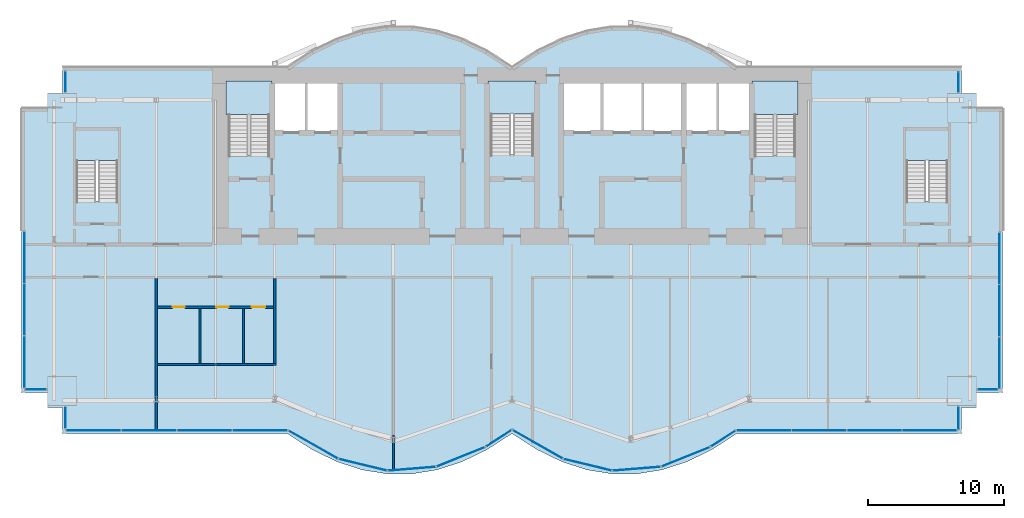
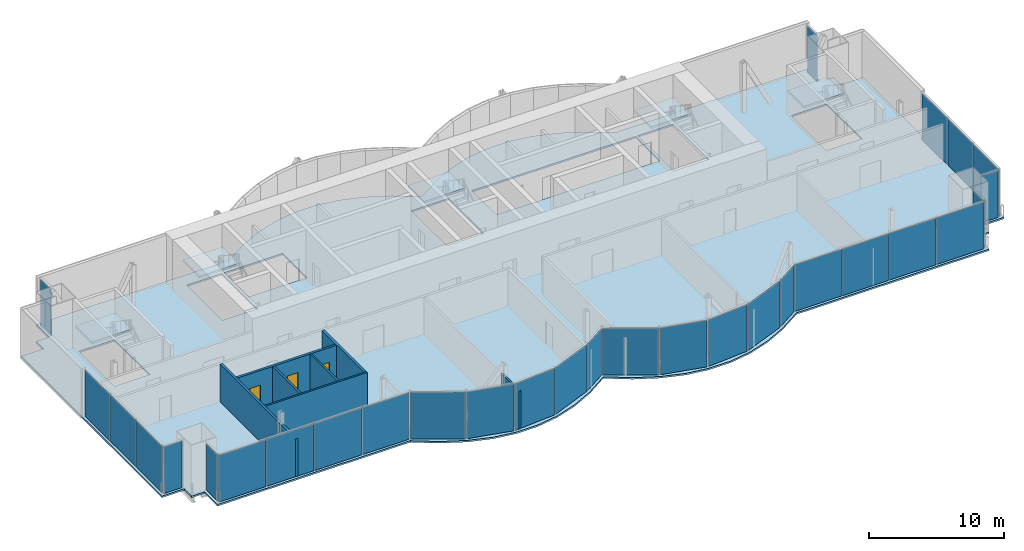
# One storey, part 11 of 18: 30 plates, 7 walls, 6 slabs, 3 doors, 3 openings, 17 elements without a shape of their own.
"""IFC4 building model written with IfcOpenShell, lengths in metres."""

from ifc_helpers import new_model, si_unit, direction, frame, frame_2d, origin, origin_2d, place, context, subcontext, project, spatial, polyline, rectangle, outline, extrude, material, layer, layer_set, type_object, element, fill, aggregate, save


model = new_model("IFC4")

# Units and contexts
model_context = context("Model", 3, precision=1e-05, world=origin(), true_north=direction((0.0, 1.0)))
body_context = subcontext(model_context, "Body", "Model", "MODEL_VIEW")
ifc_project = project(units=[si_unit("LENGTHUNIT", "METRE"), si_unit("AREAUNIT", "SQUARE_METRE"), si_unit("VOLUMEUNIT", "CUBIC_METRE"), si_unit("PLANEANGLEUNIT", "RADIAN"), si_unit("MASSUNIT", "GRAM", prefix="KILO")], contexts=[model_context])

# Site, building, storey
site_placement = place(None, origin())
site = spatial("IfcSite", under=ifc_project, at=site_placement, CompositionType="ELEMENT")
building_placement = place(site_placement, origin())
building = spatial("IfcBuilding", under=site, at=building_placement, Name="Bicima Exchange Tower", CompositionType="ELEMENT")
storey_placement = place(building_placement, frame((0.0, 0.0, 302.0)))
storey = spatial("IfcBuildingStorey", under=building, at=storey_placement, Name="L68", CompositionType="ELEMENT", Elevation=302.0)

# Slab
ifc_material_1 = material(Name="Concrete C40/50", Category="concrete")
ifc_layer_1 = layer(ifc_material_1, 0.14990234375)
ifc_layer_set_1 = layer_set([ifc_layer_1], Name="Concrete C40/50")
slab_type_1 = type_object("IfcSlabType", Name="Composite floor slab 150", PredefinedType="FLOOR", material=ifc_layer_set_1)
slab_1_placement = place(storey_placement, frame((0.0, 0.0, -0.14990234375)))
element("IfcSlab", 1, at=slab_1_placement, inside=storey, type_object=slab_type_1, Name="Floor slab", PredefinedType="FLOOR", context=body_context, shape_type="SweptSolid", body=[
    extrude(outline(polyline([(-36.0, -23.8720703125), (-36.0, -3.0), (-34.10009765625, -3.0), (-34.10009765625, -1.89990234375), (-33.0, -1.89990234375), (-33.0, 0.0), (-16.5, 0.0), (-14.666748046875, 1.185302734375), (-12.833251953125, 2.07421875), (-11.0, 2.666748046875), (-9.166748046875, 2.962890625), (-7.333251953125, 2.962890625), (-5.5, 2.666748046875), (-3.666748046875, 2.07421875), (-1.833251953125, 1.185302734375), (0.0, 0.0), (1.833251953125, 1.185302734375), (3.666748046875, 2.07421875), (5.5, 2.666748046875), (7.333251953125, 2.962890625), (9.166748046875, 2.962890625), (11.0, 2.666748046875), (12.833251953125, 2.07421875), (14.666748046875, 1.185302734375), (16.5, 0.0), (33.0, 0.0), (33.0, -1.89990234375), (34.10009765625, -1.89990234375), (34.10009765625, -3.0), (36.0, -3.0), (36.0, -23.8720703125), (34.10009765625, -23.8720703125), (34.10009765625, -24.971923828125), (33.0, -24.971923828125), (33.0, -26.8720703125), (16.5, -26.8720703125), (14.666748046875, -28.05712890625), (12.833251953125, -28.946044921875), (11.0, -29.538818359375), (9.166748046875, -29.8349609375), (7.333251953125, -29.8349609375), (5.5, -29.538818359375), (3.666748046875, -28.946044921875), (1.833251953125, -28.05712890625), (0.0, -26.8720703125), (-1.833251953125, -28.05712890625), (-3.666748046875, -28.946044921875), (-5.5, -29.538818359375), (-7.333251953125, -29.8349609375), (-9.166748046875, -29.8349609375), (-11.0, -29.538818359375), (-12.833251953125, -28.946044921875), (-14.666748046875, -28.05712890625), (-16.5, -26.8720703125), (-33.0, -26.8720703125), (-33.0, -24.971923828125), (-34.10009765625, -24.971923828125), (-34.10009765625, -23.8720703125), (-36.0, -23.8720703125)]), holes=[polyline([(-28.925048828125, -9.824951171875), (-28.925048828125, -4.625), (-31.97509765625, -4.625), (-31.97509765625, -9.824951171875), (-28.925048828125, -9.824951171875)]), polyline([(-20.800048828125, -6.449951171875), (-17.800048828125, -6.449951171875), (-17.800048828125, -1.199951171875), (-20.800048828125, -1.199951171875), (-20.800048828125, -6.449951171875)]), polyline([(-1.574951171875, -6.39990234375), (1.574951171875, -6.39990234375), (1.574951171875, -1.199951171875), (-1.574951171875, -1.199951171875), (-1.574951171875, -6.39990234375)]), polyline([(-12.60009765625, -1.199951171875), (-15.10009765625, -1.199951171875), (-17.60009765625, -1.199951171875), (-17.60009765625, -4.800048828125), (-15.10009765625, -4.800048828125), (-12.60009765625, -4.800048828125), (-12.60009765625, -1.199951171875)]), polyline([(3.60009765625, -4.800048828125), (6.60009765625, -4.800048828125), (9.60009765625, -4.800048828125), (12.60009765625, -4.800048828125), (15.10009765625, -4.800048828125), (17.60009765625, -4.800048828125), (17.60009765625, -1.199951171875), (15.10009765625, -1.199951171875), (12.60009765625, -1.199951171875), (9.60009765625, -1.199951171875), (6.60009765625, -1.199951171875), (3.60009765625, -1.199951171875), (3.60009765625, -4.800048828125)]), polyline([(31.97509765625, -9.824951171875), (31.97509765625, -4.625), (28.925048828125, -4.625), (28.925048828125, -9.824951171875), (31.97509765625, -9.824951171875)]), polyline([(17.800048828125, -6.449951171875), (20.800048828125, -6.449951171875), (20.800048828125, -1.199951171875), (17.800048828125, -1.199951171875), (17.800048828125, -6.449951171875)])]), origin(), (0.0, 0.0, 1.0), 0.14990234375),
])

# Curtain wall, plate
ifc_material_2 = material(Name="Anodised bronze aluminium", Category="aluminium")
curtain_wall_type_1 = type_object("IfcCurtainWallType", Name="End face glass wall", PredefinedType="NOTDEFINED", material=ifc_material_2)
curtain_wall_1_placement = place(storey_placement, origin())
curtain_wall_1 = element("IfcCurtainWall", 2, at=curtain_wall_1_placement, inside=storey, type_object=curtain_wall_type_1, Name="End face glass wall L68 run 2", PredefinedType="NOTDEFINED")
ifc_material_3 = material(Name="Bronze tinted glass", Category="glass")
ifc_layer_2 = layer(ifc_material_3, 0.031982421875)
ifc_layer_set_2 = layer_set([ifc_layer_2], Name="Bronze tinted glass")
plate_type_1 = type_object("IfcPlateType", Name="End face glass wall glass panel 32", PredefinedType="CURTAIN_PANEL", material=ifc_layer_set_2)
plate_1_placement = place(storey_placement, frame((-35.77001953125, -13.947021484375, 0.0), z_axis=(0.0, 0.0, 1.0), x_axis=(0.0, -1.0, 0.0)))
plate_1 = element("IfcPlate", 3, at=plate_1_placement, type_object=plate_type_1, Name="End face glass wall panel 1.1", PredefinedType="CURTAIN_PANEL", context=body_context, shape_type="SweptSolid", body=[
    extrude(rectangle(XDim=3.77392578125, YDim=0.031982421875, at=origin_2d()), origin(), (0.0, 0.0, 1.0), 4.2099609375),
])

curtain_wall_2_placement = place(storey_placement, origin())
curtain_wall_2 = element("IfcCurtainWall", 4, at=curtain_wall_2_placement, inside=storey, type_object=curtain_wall_type_1, Name="End face glass wall L68 run 19", PredefinedType="NOTDEFINED")
plate_2_placement = place(storey_placement, frame((35.77001953125, -14.027099609375, 0.0), z_axis=(0.0, 0.0, 1.0), x_axis=(0.0, 1.0, 0.0)))
plate_2 = element("IfcPlate", 5, at=plate_2_placement, type_object=plate_type_1, Name="End face glass wall panel 3.1", PredefinedType="CURTAIN_PANEL", context=body_context, shape_type="SweptSolid", body=[
    extrude(rectangle(XDim=3.77392578125, YDim=0.031982421875, at=origin_2d()), origin(), (0.0, 0.0, 1.0), 4.2099609375),
])

# Plate
ifc_material_4 = material(Name="Bronze anodised aluminium", Category="aluminium")
ifc_layer_3 = layer(ifc_material_4, 0.031982421875)
ifc_layer_set_3 = layer_set([ifc_layer_3], Name="Bronze anodised aluminium")
plate_type_2 = type_object("IfcPlateType", Name="End face glass wall spandrel panel 32", PredefinedType="CURTAIN_PANEL", material=ifc_layer_set_3)
plate_3_placement = place(storey_placement, frame((-35.77001953125, -17.781005859375, 0.0), z_axis=(0.0, 0.0, 1.0), x_axis=(0.0, -1.0, 0.0)))
plate_3 = element("IfcPlate", 6, at=plate_3_placement, type_object=plate_type_2, Name="End face spandrel wall panel 2.1", PredefinedType="CURTAIN_PANEL", context=body_context, shape_type="SweptSolid", body=[
    extrude(rectangle(XDim=3.77392578125, YDim=0.031982421875, at=origin_2d()), origin(), (0.0, 0.0, 1.0), 4.2099609375),
])

plate_4_placement = place(storey_placement, frame((-35.77001953125, -21.614990234375, 0.0), z_axis=(0.0, 0.0, 1.0), x_axis=(0.0, -1.0, 0.0)))
plate_4 = element("IfcPlate", 7, at=plate_4_placement, type_object=plate_type_2, Name="End face spandrel wall panel 3.1", PredefinedType="CURTAIN_PANEL", context=body_context, shape_type="SweptSolid", body=[
    extrude(rectangle(XDim=3.77392578125, YDim=0.031982421875, at=origin_2d()), origin(), (0.0, 0.0, 1.0), 4.2099609375),
])

aggregate(curtain_wall_1, [plate_1, plate_3, plate_4])

plate_5_placement = place(storey_placement, frame((35.77001953125, -21.695068359375, 0.0), z_axis=(0.0, 0.0, 1.0), x_axis=(0.0, 1.0, 0.0)))
plate_5 = element("IfcPlate", 8, at=plate_5_placement, type_object=plate_type_2, Name="End face spandrel wall panel 1.1", PredefinedType="CURTAIN_PANEL", context=body_context, shape_type="SweptSolid", body=[
    extrude(rectangle(XDim=3.77392578125, YDim=0.031982421875, at=origin_2d()), origin(), (0.0, 0.0, 1.0), 4.2099609375),
])

plate_6_placement = place(storey_placement, frame((35.77001953125, -17.861083984375, 0.0), z_axis=(0.0, 0.0, 1.0), x_axis=(0.0, 1.0, 0.0)))
plate_6 = element("IfcPlate", 9, at=plate_6_placement, type_object=plate_type_2, Name="End face spandrel wall panel 2.1", PredefinedType="CURTAIN_PANEL", context=body_context, shape_type="SweptSolid", body=[
    extrude(rectangle(XDim=3.77392578125, YDim=0.031982421875, at=origin_2d()), origin(), (0.0, 0.0, 1.0), 4.2099609375),
])

aggregate(curtain_wall_2, [plate_5, plate_6, plate_2])

# Curtain wall, plate
curtain_wall_type_2 = type_object("IfcCurtainWallType", Name="Front glass wall", PredefinedType="NOTDEFINED", material=ifc_material_2)
curtain_wall_3_placement = place(storey_placement, origin())
curtain_wall_3 = element("IfcCurtainWall", 10, at=curtain_wall_3_placement, inside=storey, type_object=curtain_wall_type_2, Name="Front glass wall L68 run 1", PredefinedType="NOTDEFINED")
ifc_layer_4 = layer(ifc_material_3, 0.031982421875)
ifc_layer_set_4 = layer_set([ifc_layer_4], Name="Bronze tinted glass")
plate_type_3 = type_object("IfcPlateType", Name="Front glass wall glass panel 32", PredefinedType="CURTAIN_PANEL", material=ifc_layer_set_4)
plate_7_placement = place(storey_placement, frame((-32.77001953125, -1.06494140625, 0.0), z_axis=(0.0, 0.0, 1.0), x_axis=(0.0, -1.0, 0.0)))
plate_7 = element("IfcPlate", 11, at=plate_7_placement, type_object=plate_type_3, Name="Front glass wall panel 1.1", PredefinedType="CURTAIN_PANEL", context=body_context, shape_type="SweptSolid", body=[
    extrude(rectangle(XDim=1.550048828125, YDim=0.031982421875, at=origin_2d()), origin(), (0.0, 0.0, 1.0), 4.2099609375),
])
aggregate(curtain_wall_3, [plate_7])

curtain_wall_4_placement = place(storey_placement, origin())
curtain_wall_4 = element("IfcCurtainWall", 12, at=curtain_wall_4_placement, inside=storey, type_object=curtain_wall_type_2, Name="Front glass wall L68 run 3", PredefinedType="NOTDEFINED")
plate_8_placement = place(storey_placement, frame((-34.93505859375, -23.64208984375, 0.0), z_axis=(0.0, 0.0, 1.0), x_axis=(1.0, 0.0, 0.0)))
plate_8 = element("IfcPlate", 13, at=plate_8_placement, type_object=plate_type_3, Name="Front glass wall panel 1.1", PredefinedType="CURTAIN_PANEL", context=body_context, shape_type="SweptSolid", body=[
    extrude(rectangle(XDim=1.550048828125, YDim=0.031982421875, at=origin_2d()), origin(), (0.0, 0.0, 1.0), 4.2099609375),
])
aggregate(curtain_wall_4, [plate_8])

curtain_wall_5_placement = place(storey_placement, origin())
curtain_wall_5 = element("IfcCurtainWall", 14, at=curtain_wall_5_placement, inside=storey, type_object=curtain_wall_type_2, Name="Front glass wall L68 run 4", PredefinedType="NOTDEFINED")
plate_9_placement = place(storey_placement, frame((-32.77001953125, -25.7060546875, 0.0), z_axis=(0.0, 0.0, 1.0), x_axis=(0.0, -1.0, 0.0)))
plate_9 = element("IfcPlate", 15, at=plate_9_placement, type_object=plate_type_3, Name="Front glass wall panel 1.1", PredefinedType="CURTAIN_PANEL", context=body_context, shape_type="SweptSolid", body=[
    extrude(rectangle(XDim=1.592041015625, YDim=0.031982421875, at=origin_2d()), origin(), (0.0, 0.0, 1.0), 4.2099609375),
])
aggregate(curtain_wall_5, [plate_9])

# Curtain wall, plates
curtain_wall_6_placement = place(storey_placement, origin())
curtain_wall_6 = element("IfcCurtainWall", 16, at=curtain_wall_6_placement, inside=storey, type_object=curtain_wall_type_2, Name="Front glass wall L68 run 5", PredefinedType="NOTDEFINED")
plate_10_placement = place(storey_placement, frame((-30.705322265625, -26.64208984375, 0.0), z_axis=(0.0, 0.0, 1.0), x_axis=(1.0, 0.0, 0.0)))
plate_10 = element("IfcPlate", 17, at=plate_10_placement, type_object=plate_type_3, Name="Front glass wall panel 1.1", PredefinedType="CURTAIN_PANEL", context=body_context, shape_type="SweptSolid", body=[
    extrude(rectangle(XDim=4.009521484375, YDim=0.031982421875, at=origin_2d()), origin(), (0.0, 0.0, 1.0), 4.2099609375),
])
plate_11_placement = place(storey_placement, frame((-22.56640625, -26.64208984375, 0.0), z_axis=(0.0, 0.0, 1.0), x_axis=(1.0, 0.0, 0.0)))
plate_11 = element("IfcPlate", 18, at=plate_11_placement, type_object=plate_type_3, Name="Front glass wall panel 3.1", PredefinedType="CURTAIN_PANEL", context=body_context, shape_type="SweptSolid", body=[
    extrude(rectangle(XDim=4.009521484375, YDim=0.031982421875, at=origin_2d()), origin(), (0.0, 0.0, 1.0), 4.2099609375),
])
plate_12_placement = place(storey_placement, frame((-18.496826171875, -26.64208984375, 0.0), z_axis=(0.0, 0.0, 1.0), x_axis=(1.0, 0.0, 0.0)))
plate_12 = element("IfcPlate", 19, at=plate_12_placement, type_object=plate_type_3, Name="Front glass wall panel 4.1", PredefinedType="CURTAIN_PANEL", context=body_context, shape_type="SweptSolid", body=[
    extrude(rectangle(XDim=4.009521484375, YDim=0.031982421875, at=origin_2d()), origin(), (0.0, 0.0, 1.0), 4.2099609375),
])

curtain_wall_7_placement = place(storey_placement, origin())
curtain_wall_7 = element("IfcCurtainWall", 20, at=curtain_wall_7_placement, inside=storey, type_object=curtain_wall_type_2, Name="Front glass wall L68 run 6", PredefinedType="NOTDEFINED")
plate_13_placement = place(storey_placement, frame((-14.589599609375, -27.68701171875, 0.0), z_axis=(0.0, 0.0, 1.0), x_axis=(0.869805110681, -0.493395449343, 0.0)))
plate_13 = element("IfcPlate", 21, at=plate_13_placement, type_object=plate_type_3, Name="Front glass wall panel 1.1", PredefinedType="CURTAIN_PANEL", context=body_context, shape_type="SweptSolid", body=[
    extrude(rectangle(XDim=4.1162109375, YDim=0.031982421875, at=origin_2d()), origin(), (0.0, 0.0, 1.0), 4.2099609375),
])
plate_14_placement = place(storey_placement, frame((-10.94775390625, -29.168701171875, 0.0), z_axis=(0.0, 0.0, 1.0), x_axis=(0.971830343553, -0.235681529503, 0.0)))
plate_14 = element("IfcPlate", 22, at=plate_14_placement, type_object=plate_type_3, Name="Front glass wall panel 1.1", PredefinedType="CURTAIN_PANEL", context=body_context, shape_type="SweptSolid", body=[
    extrude(rectangle(XDim=3.583251953125, YDim=0.031982421875, at=origin_2d()), origin(), (0.0, 0.0, 1.0), 4.2099609375),
])
plate_15_placement = place(storey_placement, frame((-3.750244140625, -28.58544921875, 0.0), z_axis=(0.0, 0.0, 1.0), x_axis=(0.92714396679, 0.374705304, 0.0)))
plate_15 = element("IfcPlate", 23, at=plate_15_placement, type_object=plate_type_3, Name="Front glass wall panel 1.1", PredefinedType="CURTAIN_PANEL", context=body_context, shape_type="SweptSolid", body=[
    extrude(rectangle(XDim=3.771240234375, YDim=0.031982421875, at=origin_2d()), origin(), (0.0, 0.0, 1.0), 4.2099609375),
])
plate_16_placement = place(storey_placement, frame((-0.97314453125, -27.227294921875, 0.0), z_axis=(0.0, 0.0, 1.0), x_axis=(0.839798994301, 0.542897457326, 0.0)))
plate_16 = element("IfcPlate", 24, at=plate_16_placement, type_object=plate_type_3, Name="Front glass wall panel 1.1", PredefinedType="CURTAIN_PANEL", context=body_context, shape_type="SweptSolid", body=[
    extrude(rectangle(XDim=2.197509765625, YDim=0.031982421875, at=origin_2d()), origin(), (0.0, 0.0, 1.0), 4.2099609375),
])

curtain_wall_8_placement = place(storey_placement, origin())
curtain_wall_8 = element("IfcCurtainWall", 25, at=curtain_wall_8_placement, inside=storey, type_object=curtain_wall_type_2, Name="Front glass wall L68 run 11", PredefinedType="NOTDEFINED")
plate_17_placement = place(storey_placement, frame((1.876220703125, -27.665283203125, 0.0), z_axis=(0.0, 0.0, 1.0), x_axis=(0.869274147378, -0.494330311331, 0.0)))
plate_17 = element("IfcPlate", 26, at=plate_17_placement, type_object=plate_type_3, Name="Front glass wall panel 1.1", PredefinedType="CURTAIN_PANEL", context=body_context, shape_type="SweptSolid", body=[
    extrude(rectangle(XDim=4.197021484375, YDim=0.031982421875, at=origin_2d()), origin(), (0.0, 0.0, 1.0), 4.2099609375),
])
plate_18_placement = place(storey_placement, frame((12.749755859375, -28.58544921875, 0.0), z_axis=(0.0, 0.0, 1.0), x_axis=(0.92714396679, 0.374705304, 0.0)))
plate_18 = element("IfcPlate", 27, at=plate_18_placement, type_object=plate_type_3, Name="Front glass wall panel 1.1", PredefinedType="CURTAIN_PANEL", context=body_context, shape_type="SweptSolid", body=[
    extrude(rectangle(XDim=3.771240234375, YDim=0.031982421875, at=origin_2d()), origin(), (0.0, 0.0, 1.0), 4.2099609375),
])
plate_19_placement = place(storey_placement, frame((15.492919921875, -27.249267578125, 0.0), z_axis=(0.0, 0.0, 1.0), x_axis=(0.839791413941, 0.542909183079, 0.0)))
plate_19 = element("IfcPlate", 28, at=plate_19_placement, type_object=plate_type_3, Name="Front glass wall panel 1.1", PredefinedType="CURTAIN_PANEL", context=body_context, shape_type="SweptSolid", body=[
    extrude(rectangle(XDim=2.11669921875, YDim=0.031982421875, at=origin_2d()), origin(), (0.0, 0.0, 1.0), 4.2099609375),
])

curtain_wall_9_placement = place(storey_placement, origin())
curtain_wall_9 = element("IfcCurtainWall", 29, at=curtain_wall_9_placement, inside=storey, type_object=curtain_wall_type_2, Name="Front glass wall L68 run 16", PredefinedType="NOTDEFINED")
plate_20_placement = place(storey_placement, frame((18.48681640625, -26.64208984375, 0.0), z_axis=(0.0, 0.0, 1.0), x_axis=(1.0, 0.0, 0.0)))
plate_20 = element("IfcPlate", 30, at=plate_20_placement, type_object=plate_type_3, Name="Front glass wall panel 1.1", PredefinedType="CURTAIN_PANEL", context=body_context, shape_type="SweptSolid", body=[
    extrude(rectangle(XDim=3.989501953125, YDim=0.031982421875, at=origin_2d()), origin(), (0.0, 0.0, 1.0), 4.2099609375),
])
plate_21_placement = place(storey_placement, frame((22.536376953125, -26.64208984375, 0.0), z_axis=(0.0, 0.0, 1.0), x_axis=(1.0, 0.0, 0.0)))
plate_21 = element("IfcPlate", 31, at=plate_21_placement, type_object=plate_type_3, Name="Front glass wall panel 2.1", PredefinedType="CURTAIN_PANEL", context=body_context, shape_type="SweptSolid", body=[
    extrude(rectangle(XDim=3.989501953125, YDim=0.031982421875, at=origin_2d()), origin(), (0.0, 0.0, 1.0), 4.2099609375),
])
plate_22_placement = place(storey_placement, frame((30.63525390625, -26.64208984375, 0.0), z_axis=(0.0, 0.0, 1.0), x_axis=(1.0, 0.0, 0.0)))
plate_22 = element("IfcPlate", 32, at=plate_22_placement, type_object=plate_type_3, Name="Front glass wall panel 4.1", PredefinedType="CURTAIN_PANEL", context=body_context, shape_type="SweptSolid", body=[
    extrude(rectangle(XDim=3.989501953125, YDim=0.031982421875, at=origin_2d()), origin(), (0.0, 0.0, 1.0), 4.2099609375),
])

# Curtain wall, plate
curtain_wall_10_placement = place(storey_placement, origin())
curtain_wall_10 = element("IfcCurtainWall", 33, at=curtain_wall_10_placement, inside=storey, type_object=curtain_wall_type_2, Name="Front glass wall L68 run 17", PredefinedType="NOTDEFINED")
plate_23_placement = place(storey_placement, frame((32.77001953125, -25.74609375, 0.0), z_axis=(0.0, 0.0, 1.0), x_axis=(0.0, 1.0, 0.0)))
plate_23 = element("IfcPlate", 34, at=plate_23_placement, type_object=plate_type_3, Name="Front glass wall panel 1.1", PredefinedType="CURTAIN_PANEL", context=body_context, shape_type="SweptSolid", body=[
    extrude(rectangle(XDim=1.672119140625, YDim=0.031982421875, at=origin_2d()), origin(), (0.0, 0.0, 1.0), 4.2099609375),
])
aggregate(curtain_wall_10, [plate_23])

curtain_wall_11_placement = place(storey_placement, origin())
curtain_wall_11 = element("IfcCurtainWall", 35, at=curtain_wall_11_placement, inside=storey, type_object=curtain_wall_type_2, Name="Front glass wall L68 run 18", PredefinedType="NOTDEFINED")
plate_24_placement = place(storey_placement, frame((34.89501953125, -23.64208984375, 0.0), z_axis=(0.0, 0.0, 1.0), x_axis=(1.0, 0.0, 0.0)))
plate_24 = element("IfcPlate", 36, at=plate_24_placement, type_object=plate_type_3, Name="Front glass wall panel 1.1", PredefinedType="CURTAIN_PANEL", context=body_context, shape_type="SweptSolid", body=[
    extrude(rectangle(XDim=1.469970703125, YDim=0.031982421875, at=origin_2d()), origin(), (0.0, 0.0, 1.0), 4.2099609375),
])
aggregate(curtain_wall_11, [plate_24])

curtain_wall_12_placement = place(storey_placement, origin())
curtain_wall_12 = element("IfcCurtainWall", 37, at=curtain_wall_12_placement, inside=storey, type_object=curtain_wall_type_2, Name="Front glass wall L68 run 20", PredefinedType="NOTDEFINED")
plate_25_placement = place(storey_placement, frame((32.77001953125, -1.10498046875, 0.0), z_axis=(0.0, 0.0, 1.0), x_axis=(0.0, 1.0, 0.0)))
plate_25 = element("IfcPlate", 38, at=plate_25_placement, type_object=plate_type_3, Name="Front glass wall panel 1.1", PredefinedType="CURTAIN_PANEL", context=body_context, shape_type="SweptSolid", body=[
    extrude(rectangle(XDim=1.469970703125, YDim=0.031982421875, at=origin_2d()), origin(), (0.0, 0.0, 1.0), 4.2099609375),
])
aggregate(curtain_wall_12, [plate_25])

# Plate
ifc_layer_5 = layer(ifc_material_4, 0.031982421875)
ifc_layer_set_5 = layer_set([ifc_layer_5], Name="Bronze anodised aluminium")
plate_type_4 = type_object("IfcPlateType", Name="Front glass wall spandrel panel 32", PredefinedType="CURTAIN_PANEL", material=ifc_layer_set_5)
plate_26_placement = place(storey_placement, frame((-26.6357421875, -26.64208984375, 0.0), z_axis=(0.0, 0.0, 1.0), x_axis=(1.0, 0.0, 0.0)))
plate_26 = element("IfcPlate", 39, at=plate_26_placement, type_object=plate_type_4, Name="Front spandrel wall panel 2.1", PredefinedType="CURTAIN_PANEL", context=body_context, shape_type="SweptSolid", body=[
    extrude(rectangle(XDim=4.009521484375, YDim=0.031982421875, at=origin_2d()), origin(), (0.0, 0.0, 1.0), 4.2099609375),
])

aggregate(curtain_wall_6, [plate_10, plate_26, plate_11, plate_12])

plate_27_placement = place(storey_placement, frame((-7.35107421875, -29.459716796875, 0.0), z_axis=(0.0, 0.0, 1.0), x_axis=(0.99674744821, 0.080588612633, 0.0)))
plate_27 = element("IfcPlate", 40, at=plate_27_placement, type_object=plate_type_4, Name="Front spandrel wall panel 1.1", PredefinedType="CURTAIN_PANEL", context=body_context, shape_type="SweptSolid", body=[
    extrude(rectangle(XDim=3.486083984375, YDim=0.031982421875, at=origin_2d()), origin(), (0.0, 0.0, 1.0), 4.2099609375),
])

aggregate(curtain_wall_7, [plate_13, plate_14, plate_27, plate_15, plate_16])

plate_28_placement = place(storey_placement, frame((5.55224609375, -29.168701171875, 0.0), z_axis=(0.0, 0.0, 1.0), x_axis=(0.971830343553, -0.235681529503, 0.0)))
plate_28 = element("IfcPlate", 41, at=plate_28_placement, type_object=plate_type_4, Name="Front spandrel wall panel 1.1", PredefinedType="CURTAIN_PANEL", context=body_context, shape_type="SweptSolid", body=[
    extrude(rectangle(XDim=3.583251953125, YDim=0.031982421875, at=origin_2d()), origin(), (0.0, 0.0, 1.0), 4.2099609375),
])

plate_29_placement = place(storey_placement, frame((9.14892578125, -29.459716796875, 0.0), z_axis=(0.0, 0.0, 1.0), x_axis=(0.99674744821, 0.080588612633, 0.0)))
plate_29 = element("IfcPlate", 42, at=plate_29_placement, type_object=plate_type_4, Name="Front spandrel wall panel 1.1", PredefinedType="CURTAIN_PANEL", context=body_context, shape_type="SweptSolid", body=[
    extrude(rectangle(XDim=3.486083984375, YDim=0.031982421875, at=origin_2d()), origin(), (0.0, 0.0, 1.0), 4.2099609375),
])

aggregate(curtain_wall_8, [plate_17, plate_28, plate_29, plate_18, plate_19])

plate_30_placement = place(storey_placement, frame((26.585693359375, -26.64208984375, 0.0), z_axis=(0.0, 0.0, 1.0), x_axis=(1.0, 0.0, 0.0)))
plate_30 = element("IfcPlate", 43, at=plate_30_placement, type_object=plate_type_4, Name="Front spandrel wall panel 3.1", PredefinedType="CURTAIN_PANEL", context=body_context, shape_type="SweptSolid", body=[
    extrude(rectangle(XDim=3.989501953125, YDim=0.031982421875, at=origin_2d()), origin(), (0.0, 0.0, 1.0), 4.2099609375),
])

aggregate(curtain_wall_9, [plate_20, plate_21, plate_30, plate_22])

# Stair, slab
ifc_material_5 = material(Name="Concrete C50/60", Category="concrete")
stair_type_1 = type_object("IfcStairType", Name="Exit stair", PredefinedType="HALF_TURN_STAIR", material=ifc_material_5)
stair_1_placement = place(storey_placement, origin())
stair_1 = element("IfcStair", 44, at=stair_1_placement, inside=storey, type_object=stair_type_1, Name="L68 West exit stair", PredefinedType="HALF_TURN_STAIR")
ifc_layer_6 = layer(ifc_material_5, 0.199951171875)
ifc_layer_set_6 = layer_set([ifc_layer_6], Name="Concrete C50/60")
slab_type_2 = type_object("IfcSlabType", Name="Stair landing slab", PredefinedType="LANDING", material=ifc_layer_set_6)
slab_2_placement = place(storey_placement, frame((0.0, 0.0, 2.050048828125)))
slab_2 = element("IfcSlab", 45, at=slab_2_placement, type_object=slab_type_2, Name="ST-W landing 1", PredefinedType="LANDING", context=body_context, shape_type="SweptSolid", body=[
    extrude(outline(polyline([(-17.60009765625, -3.469970703125), (-17.60009765625, -1.0), (-21.0, -1.0), (-21.0, -3.469970703125), (-17.60009765625, -3.469970703125)])), origin(), (0.0, 0.0, 1.0), 0.199951171875),
])
aggregate(stair_1, [slab_2])

stair_type_2 = type_object("IfcStairType", Name="Exit stair 1500", PredefinedType="HALF_TURN_STAIR", material=ifc_material_5)
stair_2_placement = place(storey_placement, origin())
stair_2 = element("IfcStair", 46, at=stair_2_placement, inside=storey, type_object=stair_type_2, Name="L68 Central exit stair", PredefinedType="HALF_TURN_STAIR")
slab_3_placement = place(storey_placement, frame((0.0, 0.0, 2.050048828125)))
slab_3 = element("IfcSlab", 47, at=slab_3_placement, type_object=slab_type_2, Name="ST-C landing 1", PredefinedType="LANDING", context=body_context, shape_type="SweptSolid", body=[
    extrude(outline(polyline([(1.77490234375, -3.419921875), (1.77490234375, -1.0), (-1.77490234375, -1.0), (-1.77490234375, -3.419921875), (1.77490234375, -3.419921875)])), origin(), (0.0, 0.0, 1.0), 0.199951171875),
])
aggregate(stair_2, [slab_3])

stair_3_placement = place(storey_placement, origin())
stair_3 = element("IfcStair", 48, at=stair_3_placement, inside=storey, type_object=stair_type_1, Name="L68 East exit stair", PredefinedType="HALF_TURN_STAIR")
slab_4_placement = place(storey_placement, frame((0.0, 0.0, 2.050048828125)))
slab_4 = element("IfcSlab", 49, at=slab_4_placement, type_object=slab_type_2, Name="ST-E landing 1", PredefinedType="LANDING", context=body_context, shape_type="SweptSolid", body=[
    extrude(outline(polyline([(21.0, -3.469970703125), (21.0, -1.0), (17.60009765625, -1.0), (17.60009765625, -3.469970703125), (21.0, -3.469970703125)])), origin(), (0.0, 0.0, 1.0), 0.199951171875),
])
aggregate(stair_3, [slab_4])

stair_4_placement = place(storey_placement, origin())
stair_4 = element("IfcStair", 50, at=stair_4_placement, inside=storey, type_object=stair_type_1, Name="L68 West end exit stair", PredefinedType="HALF_TURN_STAIR")
slab_5_placement = place(storey_placement, frame((0.0, 0.0, 2.050048828125)))
slab_5 = element("IfcSlab", 51, at=slab_5_placement, type_object=slab_type_2, Name="ST-WW landing 1", PredefinedType="LANDING", context=body_context, shape_type="SweptSolid", body=[
    extrude(outline(polyline([(-28.72509765625, -6.844970703125), (-28.72509765625, -4.425048828125), (-32.175048828125, -4.425048828125), (-32.175048828125, -6.844970703125), (-28.72509765625, -6.844970703125)])), origin(), (0.0, 0.0, 1.0), 0.199951171875),
])
aggregate(stair_4, [slab_5])

stair_5_placement = place(storey_placement, origin())
stair_5 = element("IfcStair", 52, at=stair_5_placement, inside=storey, type_object=stair_type_1, Name="L68 East end exit stair", PredefinedType="HALF_TURN_STAIR")
slab_6_placement = place(storey_placement, frame((0.0, 0.0, 2.050048828125)))
slab_6 = element("IfcSlab", 53, at=slab_6_placement, type_object=slab_type_2, Name="ST-EE landing 1", PredefinedType="LANDING", context=body_context, shape_type="SweptSolid", body=[
    extrude(outline(polyline([(32.175048828125, -6.844970703125), (32.175048828125, -4.425048828125), (28.72509765625, -4.425048828125), (28.72509765625, -6.844970703125), (32.175048828125, -6.844970703125)])), origin(), (0.0, 0.0, 1.0), 0.199951171875),
])
aggregate(stair_5, [slab_6])

# Wall, openings, doors
ifc_material_6 = material(Name="Gypsum board partition")
ifc_layer_7 = layer(ifc_material_6, 0.199951171875)
ifc_layer_set_7 = layer_set([ifc_layer_7], Name="Gypsum board partition")
wall_type_1 = type_object("IfcWallType", Name="Fire-rated gypsum partition 200 EI60", PredefinedType="PARTITIONING", material=ifc_layer_set_7)
wall_1_placement = place(storey_placement, frame((-26.0, -17.60009765625, 0.0), z_axis=(0.0, 0.0, 1.0), x_axis=(1.0, 0.0, 0.0)))
wall_1 = element("IfcWall", 54, at=wall_1_placement, inside=storey, type_object=wall_type_1, Name="partition wall 2", PredefinedType="PARTITIONING", context=body_context, shape_type="SweptSolid", body=[
    extrude(rectangle(XDim=8.5, YDim=0.199951171875, at=frame_2d((4.25, 0.0))), origin(), (0.0, 0.0, 1.0), 3.418212890625),
])
opening_1_placement = place(wall_1_placement, frame((1.10009765625, 0.0, 0.0)))
opening_1 = element("IfcOpeningElement", 55, at=opening_1_placement, cuts=wall_1, Name="Opening L68-009", PredefinedType="OPENING", context=body_context, shape_type="SweptSolid", body=[
    extrude(rectangle(XDim=0.89990234375, YDim=2.10009765625, at=frame_2d((0.449951171875, 1.050048828125))), frame((0.0, 0.11181640625, 0.0), z_axis=(0.0, -1.0, 0.0), x_axis=(1.0, 0.0, 0.0)), (0.0, 0.0, 1.0), 0.223876953125),
])
opening_2_placement = place(wall_1_placement, frame((4.300048828125, 0.0, 0.0)))
opening_2 = element("IfcOpeningElement", 56, at=opening_2_placement, cuts=wall_1, Name="Opening L68-010", PredefinedType="OPENING", context=body_context, shape_type="SweptSolid", body=[
    extrude(rectangle(XDim=0.89990234375, YDim=2.10009765625, at=frame_2d((0.449951171875, 1.050048828125))), frame((0.0, 0.11181640625, 0.0), z_axis=(0.0, -1.0, 0.0), x_axis=(1.0, 0.0, 0.0)), (0.0, 0.0, 1.0), 0.223876953125),
])
opening_3_placement = place(wall_1_placement, frame((6.89990234375, 0.0, 0.0)))
opening_3 = element("IfcOpeningElement", 57, at=opening_3_placement, cuts=wall_1, Name="Opening L68-011", PredefinedType="OPENING", context=body_context, shape_type="SweptSolid", body=[
    extrude(rectangle(XDim=1.0, YDim=2.10009765625, at=frame_2d((0.5, 1.050048828125))), frame((0.0, 0.11181640625, 0.0), z_axis=(0.0, -1.0, 0.0), x_axis=(1.0, 0.0, 0.0)), (0.0, 0.0, 1.0), 0.223876953125),
])
ifc_material_7 = material(Name="Steel fire door leaf", Category="steel")
door_type_1 = type_object("IfcDoorType", Name="Door 1000 swing FD30S", OperationType="SINGLE_SWING_LEFT", PredefinedType="DOOR", material=ifc_material_7)
door_1_placement = place(opening_3_placement, frame((1.0, 0.0, 0.0), z_axis=(0.0, 0.0, 1.0), x_axis=(-1.0, 0.0, 0.0)))
door_1 = element("IfcDoor", 58, at=door_1_placement, inside=storey, type_object=door_type_1, Name="Door", OperationType="SINGLE_SWING_RIGHT", OverallHeight=2.10009765625, OverallWidth=1.0, PredefinedType="DOOR", context=body_context, shape_type="SweptSolid", body=[
    extrude(rectangle(XDim=1.0, YDim=2.10009765625, at=frame_2d((0.5, 1.050048828125))), frame((0.0, 0.02490234375, 0.0), z_axis=(0.0, -1.0, 0.0), x_axis=(1.0, 0.0, 0.0)), (0.0, 0.0, 1.0), 0.050048828125),
])
fill(opening_3, door_1)
door_type_2 = type_object("IfcDoorType", Name="Door 900 swing FD30S", OperationType="SINGLE_SWING_LEFT", PredefinedType="DOOR", material=ifc_material_7)
door_2_placement = place(opening_1_placement, frame((0.89990234375, 0.0, 0.0), z_axis=(0.0, 0.0, 1.0), x_axis=(-1.0, 0.0, 0.0)))
door_2 = element("IfcDoor", 59, at=door_2_placement, inside=storey, type_object=door_type_2, Name="Door", OperationType="SINGLE_SWING_RIGHT", OverallHeight=2.10009765625, OverallWidth=0.89990234375, PredefinedType="DOOR", context=body_context, shape_type="SweptSolid", body=[
    extrude(rectangle(XDim=0.89990234375, YDim=2.10009765625, at=frame_2d((0.449951171875, 1.050048828125))), frame((0.0, 0.02490234375, 0.0), z_axis=(0.0, -1.0, 0.0), x_axis=(1.0, 0.0, 0.0)), (0.0, 0.0, 1.0), 0.050048828125),
])
fill(opening_1, door_2)
door_3_placement = place(opening_2_placement, frame((0.89990234375, 0.0, 0.0), z_axis=(0.0, 0.0, 1.0), x_axis=(-1.0, 0.0, 0.0)))
door_3 = element("IfcDoor", 60, at=door_3_placement, inside=storey, type_object=door_type_2, Name="Door", OperationType="SINGLE_SWING_LEFT", OverallHeight=2.10009765625, OverallWidth=0.89990234375, PredefinedType="DOOR", context=body_context, shape_type="SweptSolid", body=[
    extrude(rectangle(XDim=0.89990234375, YDim=2.10009765625, at=frame_2d((0.449951171875, 1.050048828125))), frame((0.0, 0.02490234375, 0.0), z_axis=(0.0, -1.0, 0.0), x_axis=(1.0, 0.0, 0.0)), (0.0, 0.0, 1.0), 0.050048828125),
])
fill(opening_2, door_3)

# Walls
wall_2_placement = place(storey_placement, frame((-26.10009765625, -26.659912109375, 0.0), z_axis=(0.0, 0.0, 1.0), x_axis=(0.0, 1.0, 0.0)))
element("IfcWall", 61, at=wall_2_placement, inside=storey, type_object=wall_type_1, Name="partition wall 13", PredefinedType="PARTITIONING", context=body_context, shape_type="SweptSolid", body=[
    extrude(rectangle(XDim=11.159912109375, YDim=0.199951171875, at=frame_2d((5.580078125, 0.0))), origin(), (0.0, 0.0, 1.0), 3.418212890625),
])
wall_3_placement = place(storey_placement, frame((-17.39990234375, -21.72509765625, 0.0), z_axis=(0.0, 0.0, 1.0), x_axis=(0.0, 1.0, 0.0)))
element("IfcWall", 62, at=wall_3_placement, inside=storey, type_object=wall_type_1, Name="partition wall 16", PredefinedType="PARTITIONING", context=body_context, shape_type="SweptSolid", body=[
    extrude(rectangle(XDim=6.22509765625, YDim=0.199951171875, at=frame_2d((3.112548828125, 0.0))), origin(), (0.0, 0.0, 1.0), 3.418212890625),
])
ifc_layer_8 = layer(ifc_material_6, 0.14990234375)
ifc_layer_set_8 = layer_set([ifc_layer_8], Name="Gypsum board partition")
wall_type_2 = type_object("IfcWallType", Name="Gypsum partition 150", PredefinedType="PARTITIONING", material=ifc_layer_set_8)
wall_4_placement = place(storey_placement, frame((-26.0, -21.800048828125, 0.0), z_axis=(0.0, 0.0, 1.0), x_axis=(1.0, 0.0, 0.0)))
element("IfcWall", 63, at=wall_4_placement, inside=storey, type_object=wall_type_2, Name="partition wall 1", PredefinedType="PARTITIONING", context=body_context, shape_type="SweptSolid", body=[
    extrude(rectangle(XDim=8.699951171875, YDim=0.14990234375, at=frame_2d((4.35009765625, 0.0))), origin(), (0.0, 0.0, 1.0), 3.418212890625),
])
for number, where, z_axis, x_axis, name in (
    (64, (-22.89990234375, -21.72509765625, 0.0), (0.0, 0.0, 1.0), (0.0, 1.0, 0.0), "partition wall 14"),
    (65, (-19.699951171875, -21.72509765625, 0.0), (0.0, 0.0, 1.0), (0.0, 1.0, 0.0), "partition wall 15"),
):
    element("IfcWall", number, at=place(storey_placement, frame(where, z_axis=z_axis, x_axis=x_axis)), inside=storey, type_object=wall_type_2, Name=name, PredefinedType="PARTITIONING", context=body_context, shape_type="SweptSolid", body=[
        extrude(rectangle(XDim=4.025146484375, YDim=0.14990234375, at=frame_2d((2.0126953125, 0.0))), origin(), (0.0, 0.0, 1.0), 3.418212890625),
    ])
wall_5_placement = place(storey_placement, frame((-8.699951171875, -29.6201171875, 0.0), z_axis=(0.0, 0.0, 1.0), x_axis=(0.0, 1.0, 0.0)))
element("IfcWall", 66, at=wall_5_placement, inside=storey, type_object=wall_type_2, Name="partition wall 17", PredefinedType="PARTITIONING", context=body_context, shape_type="SweptSolid", body=[
    extrude(rectangle(XDim=2.636962890625, YDim=0.14990234375, at=frame_2d((1.318359375, 0.0))), origin(), (0.0, 0.0, 1.0), 3.418212890625),
])

save(model, "model.ifc")
